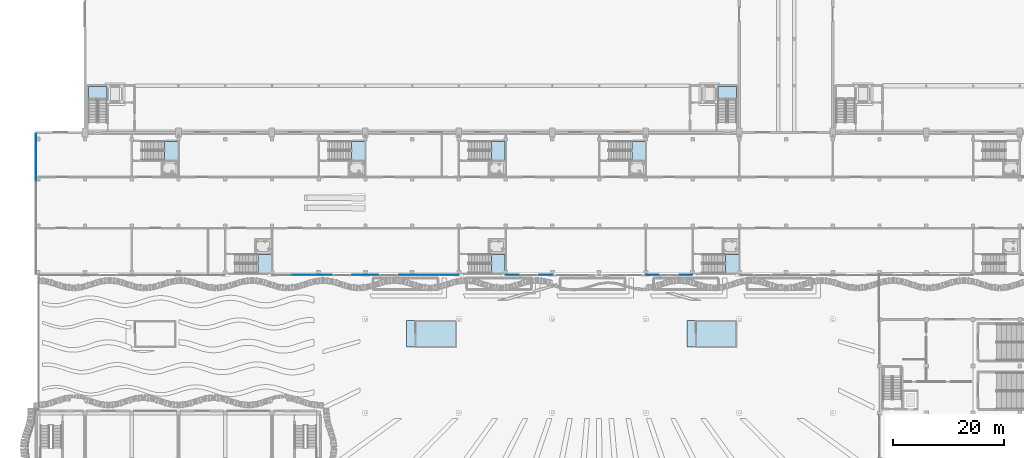
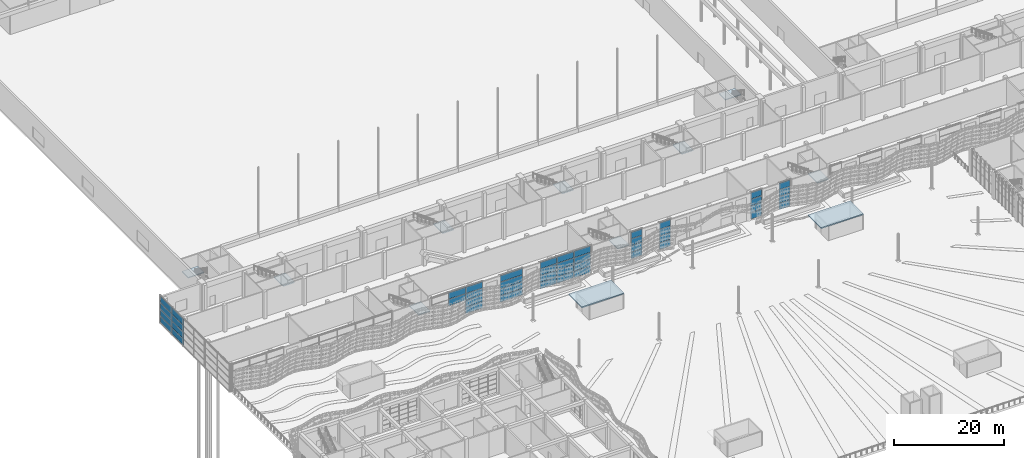
# One storey, part 82 of 210: 46 plates, 11 slabs, 17 elements without a shape of their own.
"""IFC4 building model written with IfcOpenShell, lengths in metres."""

from ifc_helpers import new_model, si_unit, direction, frame, origin, origin_2d, place, context, subcontext, project, spatial, polyline, rectangle, outline, extrude, material, layer, layer_set, type_object, element, aggregate, save


model = new_model("IFC4")

# Units and contexts
model_context = context("Model", 3, precision=1e-05, world=origin(), true_north=direction((0.0, 1.0)))
body_context = subcontext(model_context, "Body", "Model", "MODEL_VIEW")
ifc_project = project(units=[si_unit("LENGTHUNIT", "METRE"), si_unit("AREAUNIT", "SQUARE_METRE"), si_unit("VOLUMEUNIT", "CUBIC_METRE"), si_unit("PLANEANGLEUNIT", "RADIAN"), si_unit("MASSUNIT", "GRAM", prefix="KILO")], contexts=[model_context])

# Site, building, storey
site_placement = place(None, origin())
site = spatial("IfcSite", under=ifc_project, at=site_placement, CompositionType="ELEMENT")
building_placement = place(site_placement, origin())
building = spatial("IfcBuilding", under=site, at=building_placement, Name="Rain Tree Exposition and Congress Centre", CompositionType="ELEMENT")
storey_placement = place(building_placement, origin())
storey = spatial("IfcBuildingStorey", under=building, at=storey_placement, Name="L00", CompositionType="ELEMENT", Elevation=0.0)

# Curtain wall, plates
ifc_material_1 = material(Name="Aluminium curtain wall system", Category="aluminium")
ifc_layer_1 = layer(ifc_material_1, 0.10009765625)
ifc_layer_set_1 = layer_set([ifc_layer_1], Name="Aluminium curtain wall system")
curtain_wall_type = type_object("IfcCurtainWallType", Name="Concourse curtain wall 4200 module", PredefinedType="NOTDEFINED", material=ifc_layer_set_1)
curtain_wall_1_placement = place(storey_placement, origin())
curtain_wall_1 = element("IfcCurtainWall", 1, at=curtain_wall_1_placement, inside=storey, type_object=curtain_wall_type, Name="Concourse curtain wall CWC03", PredefinedType="NOTDEFINED")
ifc_material_2 = material(Name="Laminated low-e glass", Category="glass")
ifc_layer_2 = layer(ifc_material_2, 0.028076171875)
ifc_layer_set_2 = layer_set([ifc_layer_2], Name="Laminated low-e glass")
plate_type = type_object("IfcPlateType", Name="Concourse curtain wall glass panel 28", PredefinedType="CURTAIN_PANEL", material=ifc_layer_set_2)
plate_1_placement = place(storey_placement, frame((47.39990234375, 75.199951171875, 3.030029296875), z_axis=(0.0, 0.0, 1.0), x_axis=(1.0, 0.0, 0.0)))
plate_1 = element("IfcPlate", 2, at=plate_1_placement, type_object=plate_type, Name="CWC03 panel 2.3", PredefinedType="CURTAIN_PANEL", context=body_context, shape_type="SweptSolid", body=[
    extrude(rectangle(XDim=3.5400390625, YDim=0.028076171875, at=origin_2d()), origin(), (0.0, 0.0, 1.0), 1.43994140625),
])
plate_2_placement = place(storey_placement, frame((47.39990234375, 75.199951171875, 4.5302734375), z_axis=(0.0, 0.0, 1.0), x_axis=(1.0, 0.0, 0.0)))
plate_2 = element("IfcPlate", 3, at=plate_2_placement, type_object=plate_type, Name="CWC03 panel 2.4", PredefinedType="CURTAIN_PANEL", context=body_context, shape_type="SweptSolid", body=[
    extrude(rectangle(XDim=3.5400390625, YDim=0.028076171875, at=origin_2d()), origin(), (0.0, 0.0, 1.0), 1.409912109375),
])
plate_3_placement = place(storey_placement, frame((50.985107421875, 75.199951171875, 0.06005859375), z_axis=(0.0, 0.0, 1.0), x_axis=(1.0, 0.0, 0.0)))
plate_3 = element("IfcPlate", 4, at=plate_3_placement, type_object=plate_type, Name="CWC03 panel 3.1", PredefinedType="CURTAIN_PANEL", context=body_context, shape_type="SweptSolid", body=[
    extrude(rectangle(XDim=3.510009765625, YDim=0.028076171875, at=origin_2d()), origin(), (0.0, 0.0, 1.0), 1.409912109375),
])
plate_4_placement = place(storey_placement, frame((50.985107421875, 75.199951171875, 1.530029296875), z_axis=(0.0, 0.0, 1.0), x_axis=(1.0, 0.0, 0.0)))
plate_4 = element("IfcPlate", 5, at=plate_4_placement, type_object=plate_type, Name="CWC03 panel 3.2", PredefinedType="CURTAIN_PANEL", context=body_context, shape_type="SweptSolid", body=[
    extrude(rectangle(XDim=3.510009765625, YDim=0.028076171875, at=origin_2d()), origin(), (0.0, 0.0, 1.0), 1.43994140625),
])
plate_5_placement = place(storey_placement, frame((50.985107421875, 75.199951171875, 3.030029296875), z_axis=(0.0, 0.0, 1.0), x_axis=(1.0, 0.0, 0.0)))
plate_5 = element("IfcPlate", 6, at=plate_5_placement, type_object=plate_type, Name="CWC03 panel 3.3", PredefinedType="CURTAIN_PANEL", context=body_context, shape_type="SweptSolid", body=[
    extrude(rectangle(XDim=3.510009765625, YDim=0.028076171875, at=origin_2d()), origin(), (0.0, 0.0, 1.0), 1.43994140625),
])
plate_6_placement = place(storey_placement, frame((50.985107421875, 75.199951171875, 4.5302734375), z_axis=(0.0, 0.0, 1.0), x_axis=(1.0, 0.0, 0.0)))
plate_6 = element("IfcPlate", 7, at=plate_6_placement, type_object=plate_type, Name="CWC03 panel 3.4", PredefinedType="CURTAIN_PANEL", context=body_context, shape_type="SweptSolid", body=[
    extrude(rectangle(XDim=3.510009765625, YDim=0.028076171875, at=origin_2d()), origin(), (0.0, 0.0, 1.0), 1.409912109375),
])
aggregate(curtain_wall_1, [plate_1, plate_2, plate_3, plate_4, plate_5, plate_6])

curtain_wall_2_placement = place(storey_placement, origin())
curtain_wall_2 = element("IfcCurtainWall", 8, at=curtain_wall_2_placement, inside=storey, type_object=curtain_wall_type, Name="Concourse curtain wall CWC04", PredefinedType="NOTDEFINED")
plate_7_placement = place(storey_placement, frame((58.800048828125, 75.199951171875, 0.06005859375), z_axis=(0.0, 0.0, 1.0), x_axis=(1.0, 0.0, 0.0)))
plate_7 = element("IfcPlate", 9, at=plate_7_placement, type_object=plate_type, Name="CWC04 panel 1.1", PredefinedType="CURTAIN_PANEL", context=body_context, shape_type="SweptSolid", body=[
    extrude(rectangle(XDim=4.679931640625, YDim=0.028076171875, at=origin_2d()), origin(), (0.0, 0.0, 1.0), 1.409912109375),
])
plate_8_placement = place(storey_placement, frame((58.800048828125, 75.199951171875, 1.530029296875), z_axis=(0.0, 0.0, 1.0), x_axis=(1.0, 0.0, 0.0)))
plate_8 = element("IfcPlate", 10, at=plate_8_placement, type_object=plate_type, Name="CWC04 panel 1.2", PredefinedType="CURTAIN_PANEL", context=body_context, shape_type="SweptSolid", body=[
    extrude(rectangle(XDim=4.679931640625, YDim=0.028076171875, at=origin_2d()), origin(), (0.0, 0.0, 1.0), 1.43994140625),
])
plate_9_placement = place(storey_placement, frame((58.800048828125, 75.199951171875, 3.030029296875), z_axis=(0.0, 0.0, 1.0), x_axis=(1.0, 0.0, 0.0)))
plate_9 = element("IfcPlate", 11, at=plate_9_placement, type_object=plate_type, Name="CWC04 panel 1.3", PredefinedType="CURTAIN_PANEL", context=body_context, shape_type="SweptSolid", body=[
    extrude(rectangle(XDim=4.679931640625, YDim=0.028076171875, at=origin_2d()), origin(), (0.0, 0.0, 1.0), 1.43994140625),
])
plate_10_placement = place(storey_placement, frame((58.800048828125, 75.199951171875, 4.5302734375), z_axis=(0.0, 0.0, 1.0), x_axis=(1.0, 0.0, 0.0)))
plate_10 = element("IfcPlate", 12, at=plate_10_placement, type_object=plate_type, Name="CWC04 panel 1.4", PredefinedType="CURTAIN_PANEL", context=body_context, shape_type="SweptSolid", body=[
    extrude(rectangle(XDim=4.679931640625, YDim=0.028076171875, at=origin_2d()), origin(), (0.0, 0.0, 1.0), 1.409912109375),
])
aggregate(curtain_wall_2, [plate_7, plate_8, plate_9, plate_10])

curtain_wall_3_placement = place(storey_placement, origin())
curtain_wall_3 = element("IfcCurtainWall", 13, at=curtain_wall_3_placement, inside=storey, type_object=curtain_wall_type, Name="Concourse curtain wall CWC05", PredefinedType="NOTDEFINED")
plate_11_placement = place(storey_placement, frame((66.614990234375, 75.199951171875, 0.06005859375), z_axis=(0.0, 0.0, 1.0), x_axis=(1.0, 0.0, 0.0)))
plate_11 = element("IfcPlate", 14, at=plate_11_placement, type_object=plate_type, Name="CWC05 panel 1.1", PredefinedType="CURTAIN_PANEL", context=body_context, shape_type="SweptSolid", body=[
    extrude(rectangle(XDim=3.510009765625, YDim=0.028076171875, at=origin_2d()), origin(), (0.0, 0.0, 1.0), 1.409912109375),
])
plate_12_placement = place(storey_placement, frame((66.614990234375, 75.199951171875, 1.530029296875), z_axis=(0.0, 0.0, 1.0), x_axis=(1.0, 0.0, 0.0)))
plate_12 = element("IfcPlate", 15, at=plate_12_placement, type_object=plate_type, Name="CWC05 panel 1.2", PredefinedType="CURTAIN_PANEL", context=body_context, shape_type="SweptSolid", body=[
    extrude(rectangle(XDim=3.510009765625, YDim=0.028076171875, at=origin_2d()), origin(), (0.0, 0.0, 1.0), 1.43994140625),
])
plate_13_placement = place(storey_placement, frame((66.614990234375, 75.199951171875, 3.030029296875), z_axis=(0.0, 0.0, 1.0), x_axis=(1.0, 0.0, 0.0)))
plate_13 = element("IfcPlate", 16, at=plate_13_placement, type_object=plate_type, Name="CWC05 panel 1.3", PredefinedType="CURTAIN_PANEL", context=body_context, shape_type="SweptSolid", body=[
    extrude(rectangle(XDim=3.510009765625, YDim=0.028076171875, at=origin_2d()), origin(), (0.0, 0.0, 1.0), 1.43994140625),
])
plate_14_placement = place(storey_placement, frame((66.614990234375, 75.199951171875, 4.5302734375), z_axis=(0.0, 0.0, 1.0), x_axis=(1.0, 0.0, 0.0)))
plate_14 = element("IfcPlate", 17, at=plate_14_placement, type_object=plate_type, Name="CWC05 panel 1.4", PredefinedType="CURTAIN_PANEL", context=body_context, shape_type="SweptSolid", body=[
    extrude(rectangle(XDim=3.510009765625, YDim=0.028076171875, at=origin_2d()), origin(), (0.0, 0.0, 1.0), 1.409912109375),
])
plate_15_placement = place(storey_placement, frame((70.199951171875, 75.199951171875, 0.06005859375), z_axis=(0.0, 0.0, 1.0), x_axis=(1.0, 0.0, 0.0)))
plate_15 = element("IfcPlate", 18, at=plate_15_placement, type_object=plate_type, Name="CWC05 panel 2.1", PredefinedType="CURTAIN_PANEL", context=body_context, shape_type="SweptSolid", body=[
    extrude(rectangle(XDim=3.5400390625, YDim=0.028076171875, at=origin_2d()), origin(), (0.0, 0.0, 1.0), 1.409912109375),
])
plate_16_placement = place(storey_placement, frame((70.199951171875, 75.199951171875, 1.530029296875), z_axis=(0.0, 0.0, 1.0), x_axis=(1.0, 0.0, 0.0)))
plate_16 = element("IfcPlate", 19, at=plate_16_placement, type_object=plate_type, Name="CWC05 panel 2.2", PredefinedType="CURTAIN_PANEL", context=body_context, shape_type="SweptSolid", body=[
    extrude(rectangle(XDim=3.5400390625, YDim=0.028076171875, at=origin_2d()), origin(), (0.0, 0.0, 1.0), 1.43994140625),
])
plate_17_placement = place(storey_placement, frame((70.199951171875, 75.199951171875, 3.030029296875), z_axis=(0.0, 0.0, 1.0), x_axis=(1.0, 0.0, 0.0)))
plate_17 = element("IfcPlate", 20, at=plate_17_placement, type_object=plate_type, Name="CWC05 panel 2.3", PredefinedType="CURTAIN_PANEL", context=body_context, shape_type="SweptSolid", body=[
    extrude(rectangle(XDim=3.5400390625, YDim=0.028076171875, at=origin_2d()), origin(), (0.0, 0.0, 1.0), 1.43994140625),
])
plate_18_placement = place(storey_placement, frame((70.199951171875, 75.199951171875, 4.5302734375), z_axis=(0.0, 0.0, 1.0), x_axis=(1.0, 0.0, 0.0)))
plate_18 = element("IfcPlate", 21, at=plate_18_placement, type_object=plate_type, Name="CWC05 panel 2.4", PredefinedType="CURTAIN_PANEL", context=body_context, shape_type="SweptSolid", body=[
    extrude(rectangle(XDim=3.5400390625, YDim=0.028076171875, at=origin_2d()), origin(), (0.0, 0.0, 1.0), 1.409912109375),
])
plate_19_placement = place(storey_placement, frame((73.784912109375, 75.199951171875, 0.06005859375), z_axis=(0.0, 0.0, 1.0), x_axis=(1.0, 0.0, 0.0)))
plate_19 = element("IfcPlate", 22, at=plate_19_placement, type_object=plate_type, Name="CWC05 panel 3.1", PredefinedType="CURTAIN_PANEL", context=body_context, shape_type="SweptSolid", body=[
    extrude(rectangle(XDim=3.510009765625, YDim=0.028076171875, at=origin_2d()), origin(), (0.0, 0.0, 1.0), 1.409912109375),
])
plate_20_placement = place(storey_placement, frame((73.784912109375, 75.199951171875, 1.530029296875), z_axis=(0.0, 0.0, 1.0), x_axis=(1.0, 0.0, 0.0)))
plate_20 = element("IfcPlate", 23, at=plate_20_placement, type_object=plate_type, Name="CWC05 panel 3.2", PredefinedType="CURTAIN_PANEL", context=body_context, shape_type="SweptSolid", body=[
    extrude(rectangle(XDim=3.510009765625, YDim=0.028076171875, at=origin_2d()), origin(), (0.0, 0.0, 1.0), 1.43994140625),
])
plate_21_placement = place(storey_placement, frame((73.784912109375, 75.199951171875, 3.030029296875), z_axis=(0.0, 0.0, 1.0), x_axis=(1.0, 0.0, 0.0)))
plate_21 = element("IfcPlate", 24, at=plate_21_placement, type_object=plate_type, Name="CWC05 panel 3.3", PredefinedType="CURTAIN_PANEL", context=body_context, shape_type="SweptSolid", body=[
    extrude(rectangle(XDim=3.510009765625, YDim=0.028076171875, at=origin_2d()), origin(), (0.0, 0.0, 1.0), 1.43994140625),
])
plate_22_placement = place(storey_placement, frame((73.784912109375, 75.199951171875, 4.5302734375), z_axis=(0.0, 0.0, 1.0), x_axis=(1.0, 0.0, 0.0)))
plate_22 = element("IfcPlate", 25, at=plate_22_placement, type_object=plate_type, Name="CWC05 panel 3.4", PredefinedType="CURTAIN_PANEL", context=body_context, shape_type="SweptSolid", body=[
    extrude(rectangle(XDim=3.510009765625, YDim=0.028076171875, at=origin_2d()), origin(), (0.0, 0.0, 1.0), 1.409912109375),
])
aggregate(curtain_wall_3, [plate_11, plate_12, plate_13, plate_14, plate_15, plate_16, plate_17, plate_18, plate_19, plate_20, plate_21, plate_22])

curtain_wall_4_placement = place(storey_placement, origin())
curtain_wall_4 = element("IfcCurtainWall", 26, at=curtain_wall_4_placement, inside=storey, type_object=curtain_wall_type, Name="Concourse curtain wall CWC06", PredefinedType="NOTDEFINED")
plate_23_placement = place(storey_placement, frame((85.199951171875, 75.199951171875, 0.06005859375), z_axis=(0.0, 0.0, 1.0), x_axis=(1.0, 0.0, 0.0)))
plate_23 = element("IfcPlate", 27, at=plate_23_placement, type_object=plate_type, Name="CWC06 panel 1.1", PredefinedType="CURTAIN_PANEL", context=body_context, shape_type="SweptSolid", body=[
    extrude(rectangle(XDim=2.280029296875, YDim=0.028076171875, at=origin_2d()), origin(), (0.0, 0.0, 1.0), 1.409912109375),
])
plate_24_placement = place(storey_placement, frame((85.199951171875, 75.199951171875, 1.530029296875), z_axis=(0.0, 0.0, 1.0), x_axis=(1.0, 0.0, 0.0)))
plate_24 = element("IfcPlate", 28, at=plate_24_placement, type_object=plate_type, Name="CWC06 panel 1.2", PredefinedType="CURTAIN_PANEL", context=body_context, shape_type="SweptSolid", body=[
    extrude(rectangle(XDim=2.280029296875, YDim=0.028076171875, at=origin_2d()), origin(), (0.0, 0.0, 1.0), 1.43994140625),
])
plate_25_placement = place(storey_placement, frame((85.199951171875, 75.199951171875, 3.030029296875), z_axis=(0.0, 0.0, 1.0), x_axis=(1.0, 0.0, 0.0)))
plate_25 = element("IfcPlate", 29, at=plate_25_placement, type_object=plate_type, Name="CWC06 panel 1.3", PredefinedType="CURTAIN_PANEL", context=body_context, shape_type="SweptSolid", body=[
    extrude(rectangle(XDim=2.280029296875, YDim=0.028076171875, at=origin_2d()), origin(), (0.0, 0.0, 1.0), 1.43994140625),
])
plate_26_placement = place(storey_placement, frame((85.199951171875, 75.199951171875, 4.5302734375), z_axis=(0.0, 0.0, 1.0), x_axis=(1.0, 0.0, 0.0)))
plate_26 = element("IfcPlate", 30, at=plate_26_placement, type_object=plate_type, Name="CWC06 panel 1.4", PredefinedType="CURTAIN_PANEL", context=body_context, shape_type="SweptSolid", body=[
    extrude(rectangle(XDim=2.280029296875, YDim=0.028076171875, at=origin_2d()), origin(), (0.0, 0.0, 1.0), 1.409912109375),
])
aggregate(curtain_wall_4, [plate_23, plate_24, plate_25, plate_26])

curtain_wall_5_placement = place(storey_placement, origin())
curtain_wall_5 = element("IfcCurtainWall", 31, at=curtain_wall_5_placement, inside=storey, type_object=curtain_wall_type, Name="Concourse curtain wall CWC07", PredefinedType="NOTDEFINED")
plate_27_placement = place(storey_placement, frame((91.199951171875, 75.199951171875, 0.06005859375), z_axis=(0.0, 0.0, 1.0), x_axis=(1.0, 0.0, 0.0)))
plate_27 = element("IfcPlate", 32, at=plate_27_placement, type_object=plate_type, Name="CWC07 panel 1.1", PredefinedType="CURTAIN_PANEL", context=body_context, shape_type="SweptSolid", body=[
    extrude(rectangle(XDim=2.280029296875, YDim=0.028076171875, at=origin_2d()), origin(), (0.0, 0.0, 1.0), 1.409912109375),
])
plate_28_placement = place(storey_placement, frame((91.199951171875, 75.199951171875, 1.530029296875), z_axis=(0.0, 0.0, 1.0), x_axis=(1.0, 0.0, 0.0)))
plate_28 = element("IfcPlate", 33, at=plate_28_placement, type_object=plate_type, Name="CWC07 panel 1.2", PredefinedType="CURTAIN_PANEL", context=body_context, shape_type="SweptSolid", body=[
    extrude(rectangle(XDim=2.280029296875, YDim=0.028076171875, at=origin_2d()), origin(), (0.0, 0.0, 1.0), 1.43994140625),
])
plate_29_placement = place(storey_placement, frame((91.199951171875, 75.199951171875, 3.030029296875), z_axis=(0.0, 0.0, 1.0), x_axis=(1.0, 0.0, 0.0)))
plate_29 = element("IfcPlate", 34, at=plate_29_placement, type_object=plate_type, Name="CWC07 panel 1.3", PredefinedType="CURTAIN_PANEL", context=body_context, shape_type="SweptSolid", body=[
    extrude(rectangle(XDim=2.280029296875, YDim=0.028076171875, at=origin_2d()), origin(), (0.0, 0.0, 1.0), 1.43994140625),
])
plate_30_placement = place(storey_placement, frame((91.199951171875, 75.199951171875, 4.5302734375), z_axis=(0.0, 0.0, 1.0), x_axis=(1.0, 0.0, 0.0)))
plate_30 = element("IfcPlate", 35, at=plate_30_placement, type_object=plate_type, Name="CWC07 panel 1.4", PredefinedType="CURTAIN_PANEL", context=body_context, shape_type="SweptSolid", body=[
    extrude(rectangle(XDim=2.280029296875, YDim=0.028076171875, at=origin_2d()), origin(), (0.0, 0.0, 1.0), 1.409912109375),
])
aggregate(curtain_wall_5, [plate_27, plate_28, plate_29, plate_30])

curtain_wall_6_placement = place(storey_placement, origin())
curtain_wall_6 = element("IfcCurtainWall", 36, at=curtain_wall_6_placement, inside=storey, type_object=curtain_wall_type, Name="Concourse curtain wall CWC08", PredefinedType="NOTDEFINED")
plate_31_placement = place(storey_placement, frame((110.39990234375, 75.199951171875, 0.06005859375), z_axis=(0.0, 0.0, 1.0), x_axis=(1.0, 0.0, 0.0)))
plate_31 = element("IfcPlate", 37, at=plate_31_placement, type_object=plate_type, Name="CWC08 panel 1.1", PredefinedType="CURTAIN_PANEL", context=body_context, shape_type="SweptSolid", body=[
    extrude(rectangle(XDim=2.280029296875, YDim=0.028076171875, at=origin_2d()), origin(), (0.0, 0.0, 1.0), 1.409912109375),
])
plate_32_placement = place(storey_placement, frame((110.39990234375, 75.199951171875, 1.530029296875), z_axis=(0.0, 0.0, 1.0), x_axis=(1.0, 0.0, 0.0)))
plate_32 = element("IfcPlate", 38, at=plate_32_placement, type_object=plate_type, Name="CWC08 panel 1.2", PredefinedType="CURTAIN_PANEL", context=body_context, shape_type="SweptSolid", body=[
    extrude(rectangle(XDim=2.280029296875, YDim=0.028076171875, at=origin_2d()), origin(), (0.0, 0.0, 1.0), 1.43994140625),
])
plate_33_placement = place(storey_placement, frame((110.39990234375, 75.199951171875, 3.030029296875), z_axis=(0.0, 0.0, 1.0), x_axis=(1.0, 0.0, 0.0)))
plate_33 = element("IfcPlate", 39, at=plate_33_placement, type_object=plate_type, Name="CWC08 panel 1.3", PredefinedType="CURTAIN_PANEL", context=body_context, shape_type="SweptSolid", body=[
    extrude(rectangle(XDim=2.280029296875, YDim=0.028076171875, at=origin_2d()), origin(), (0.0, 0.0, 1.0), 1.43994140625),
])
plate_34_placement = place(storey_placement, frame((110.39990234375, 75.199951171875, 4.5302734375), z_axis=(0.0, 0.0, 1.0), x_axis=(1.0, 0.0, 0.0)))
plate_34 = element("IfcPlate", 40, at=plate_34_placement, type_object=plate_type, Name="CWC08 panel 1.4", PredefinedType="CURTAIN_PANEL", context=body_context, shape_type="SweptSolid", body=[
    extrude(rectangle(XDim=2.280029296875, YDim=0.028076171875, at=origin_2d()), origin(), (0.0, 0.0, 1.0), 1.409912109375),
])
aggregate(curtain_wall_6, [plate_31, plate_32, plate_33, plate_34])

curtain_wall_7_placement = place(storey_placement, origin())
curtain_wall_7 = element("IfcCurtainWall", 41, at=curtain_wall_7_placement, inside=storey, type_object=curtain_wall_type, Name="Concourse curtain wall CWC09", PredefinedType="NOTDEFINED")
plate_35_placement = place(storey_placement, frame((116.39990234375, 75.199951171875, 0.06005859375), z_axis=(0.0, 0.0, 1.0), x_axis=(1.0, 0.0, 0.0)))
plate_35 = element("IfcPlate", 42, at=plate_35_placement, type_object=plate_type, Name="CWC09 panel 1.1", PredefinedType="CURTAIN_PANEL", context=body_context, shape_type="SweptSolid", body=[
    extrude(rectangle(XDim=2.280029296875, YDim=0.028076171875, at=origin_2d()), origin(), (0.0, 0.0, 1.0), 1.409912109375),
])
plate_36_placement = place(storey_placement, frame((116.39990234375, 75.199951171875, 1.530029296875), z_axis=(0.0, 0.0, 1.0), x_axis=(1.0, 0.0, 0.0)))
plate_36 = element("IfcPlate", 43, at=plate_36_placement, type_object=plate_type, Name="CWC09 panel 1.2", PredefinedType="CURTAIN_PANEL", context=body_context, shape_type="SweptSolid", body=[
    extrude(rectangle(XDim=2.280029296875, YDim=0.028076171875, at=origin_2d()), origin(), (0.0, 0.0, 1.0), 1.43994140625),
])
plate_37_placement = place(storey_placement, frame((116.39990234375, 75.199951171875, 3.030029296875), z_axis=(0.0, 0.0, 1.0), x_axis=(1.0, 0.0, 0.0)))
plate_37 = element("IfcPlate", 44, at=plate_37_placement, type_object=plate_type, Name="CWC09 panel 1.3", PredefinedType="CURTAIN_PANEL", context=body_context, shape_type="SweptSolid", body=[
    extrude(rectangle(XDim=2.280029296875, YDim=0.028076171875, at=origin_2d()), origin(), (0.0, 0.0, 1.0), 1.43994140625),
])
plate_38_placement = place(storey_placement, frame((116.39990234375, 75.199951171875, 4.5302734375), z_axis=(0.0, 0.0, 1.0), x_axis=(1.0, 0.0, 0.0)))
plate_38 = element("IfcPlate", 45, at=plate_38_placement, type_object=plate_type, Name="CWC09 panel 1.4", PredefinedType="CURTAIN_PANEL", context=body_context, shape_type="SweptSolid", body=[
    extrude(rectangle(XDim=2.280029296875, YDim=0.028076171875, at=origin_2d()), origin(), (0.0, 0.0, 1.0), 1.409912109375),
])
aggregate(curtain_wall_7, [plate_35, plate_36, plate_37, plate_38])

curtain_wall_8_placement = place(storey_placement, origin())
curtain_wall_8 = element("IfcCurtainWall", 46, at=curtain_wall_8_placement, inside=storey, type_object=curtain_wall_type, Name="Concourse curtain wall CWC31", PredefinedType="NOTDEFINED")
plate_39_placement = place(storey_placement, frame((-0.39990234375, 94.202392578125, 0.06005859375), z_axis=(0.0, 0.0, 1.0), x_axis=(0.0, 1.0, 0.0)))
plate_39 = element("IfcPlate", 47, at=plate_39_placement, type_object=plate_type, Name="CWC31 panel 1.1", PredefinedType="CURTAIN_PANEL", context=body_context, shape_type="SweptSolid", body=[
    extrude(rectangle(XDim=4.18505859375, YDim=0.028076171875, at=origin_2d()), origin(), (0.0, 0.0, 1.0), 1.409912109375),
])
plate_40_placement = place(storey_placement, frame((-0.39990234375, 94.202392578125, 1.530029296875), z_axis=(0.0, 0.0, 1.0), x_axis=(0.0, 1.0, 0.0)))
plate_40 = element("IfcPlate", 48, at=plate_40_placement, type_object=plate_type, Name="CWC31 panel 1.2", PredefinedType="CURTAIN_PANEL", context=body_context, shape_type="SweptSolid", body=[
    extrude(rectangle(XDim=4.18505859375, YDim=0.028076171875, at=origin_2d()), origin(), (0.0, 0.0, 1.0), 1.43994140625),
])
plate_41_placement = place(storey_placement, frame((-0.39990234375, 94.202392578125, 3.030029296875), z_axis=(0.0, 0.0, 1.0), x_axis=(0.0, 1.0, 0.0)))
plate_41 = element("IfcPlate", 49, at=plate_41_placement, type_object=plate_type, Name="CWC31 panel 1.3", PredefinedType="CURTAIN_PANEL", context=body_context, shape_type="SweptSolid", body=[
    extrude(rectangle(XDim=4.18505859375, YDim=0.028076171875, at=origin_2d()), origin(), (0.0, 0.0, 1.0), 1.43994140625),
])
plate_42_placement = place(storey_placement, frame((-0.39990234375, 94.202392578125, 4.5302734375), z_axis=(0.0, 0.0, 1.0), x_axis=(0.0, 1.0, 0.0)))
plate_42 = element("IfcPlate", 50, at=plate_42_placement, type_object=plate_type, Name="CWC31 panel 1.4", PredefinedType="CURTAIN_PANEL", context=body_context, shape_type="SweptSolid", body=[
    extrude(rectangle(XDim=4.18505859375, YDim=0.028076171875, at=origin_2d()), origin(), (0.0, 0.0, 1.0), 1.409912109375),
])
plate_43_placement = place(storey_placement, frame((-0.39990234375, 98.447509765625, 0.06005859375), z_axis=(0.0, 0.0, 1.0), x_axis=(0.0, 1.0, 0.0)))
plate_43 = element("IfcPlate", 51, at=plate_43_placement, type_object=plate_type, Name="CWC31 panel 2.1", PredefinedType="CURTAIN_PANEL", context=body_context, shape_type="SweptSolid", body=[
    extrude(rectangle(XDim=4.18505859375, YDim=0.028076171875, at=origin_2d()), origin(), (0.0, 0.0, 1.0), 1.409912109375),
])
plate_44_placement = place(storey_placement, frame((-0.39990234375, 98.447509765625, 1.530029296875), z_axis=(0.0, 0.0, 1.0), x_axis=(0.0, 1.0, 0.0)))
plate_44 = element("IfcPlate", 52, at=plate_44_placement, type_object=plate_type, Name="CWC31 panel 2.2", PredefinedType="CURTAIN_PANEL", context=body_context, shape_type="SweptSolid", body=[
    extrude(rectangle(XDim=4.18505859375, YDim=0.028076171875, at=origin_2d()), origin(), (0.0, 0.0, 1.0), 1.43994140625),
])
plate_45_placement = place(storey_placement, frame((-0.39990234375, 98.447509765625, 3.030029296875), z_axis=(0.0, 0.0, 1.0), x_axis=(0.0, 1.0, 0.0)))
plate_45 = element("IfcPlate", 53, at=plate_45_placement, type_object=plate_type, Name="CWC31 panel 2.3", PredefinedType="CURTAIN_PANEL", context=body_context, shape_type="SweptSolid", body=[
    extrude(rectangle(XDim=4.18505859375, YDim=0.028076171875, at=origin_2d()), origin(), (0.0, 0.0, 1.0), 1.43994140625),
])
plate_46_placement = place(storey_placement, frame((-0.39990234375, 98.447509765625, 4.5302734375), z_axis=(0.0, 0.0, 1.0), x_axis=(0.0, 1.0, 0.0)))
plate_46 = element("IfcPlate", 54, at=plate_46_placement, type_object=plate_type, Name="CWC31 panel 2.4", PredefinedType="CURTAIN_PANEL", context=body_context, shape_type="SweptSolid", body=[
    extrude(rectangle(XDim=4.18505859375, YDim=0.028076171875, at=origin_2d()), origin(), (0.0, 0.0, 1.0), 1.409912109375),
])
aggregate(curtain_wall_8, [plate_39, plate_40, plate_41, plate_42, plate_43, plate_44, plate_45, plate_46])

# Stair, slab
ifc_material_3 = material(Name="Precast concrete C50/60", Category="concrete")
stair_type_1 = type_object("IfcStairType", Name="Concourse dogleg stair 1600", PredefinedType="HALF_TURN_STAIR", material=ifc_material_3)
stair_1_placement = place(storey_placement, origin())
stair_1 = element("IfcStair", 55, at=stair_1_placement, inside=storey, type_object=stair_type_1, Name="L00 Concourse stair", PredefinedType="HALF_TURN_STAIR")
ifc_material_4 = material(Name="Precast concrete C50/60", Category="concrete")
ifc_layer_3 = layer(ifc_material_4, 0.199951171875)
ifc_layer_set_3 = layer_set([ifc_layer_3], Name="Precast concrete C50/60")
slab_type_1 = type_object("IfcSlabType", Name="Concourse stair landing 200", PredefinedType="LANDING", material=ifc_layer_set_3)
slab_1_placement = place(storey_placement, frame((0.0, 0.0, 2.800048828125)))
slab_1 = element("IfcSlab", 56, at=slab_1_placement, type_object=slab_type_1, Name="ST-C1 landing 1", PredefinedType="LANDING", context=body_context, shape_type="SweptSolid", body=[
    extrude(outline(polyline([(39.5, 75.550048828125), (41.89990234375, 75.550048828125), (41.89990234375, 78.89990234375), (39.5, 78.89990234375), (39.5, 75.550048828125)])), origin(), (0.0, 0.0, 1.0), 0.199951171875),
])
aggregate(stair_1, [slab_1])

stair_2_placement = place(storey_placement, origin())
stair_2 = element("IfcStair", 57, at=stair_2_placement, inside=storey, type_object=stair_type_1, Name="L00 Concourse stair", PredefinedType="HALF_TURN_STAIR")
slab_2_placement = place(storey_placement, frame((0.0, 0.0, 2.800048828125)))
slab_2 = element("IfcSlab", 58, at=slab_2_placement, type_object=slab_type_1, Name="ST-C2 landing 1", PredefinedType="LANDING", context=body_context, shape_type="SweptSolid", body=[
    extrude(outline(polyline([(81.5, 75.550048828125), (83.89990234375, 75.550048828125), (83.89990234375, 78.89990234375), (81.5, 78.89990234375), (81.5, 75.550048828125)])), origin(), (0.0, 0.0, 1.0), 0.199951171875),
])
aggregate(stair_2, [slab_2])

stair_3_placement = place(storey_placement, origin())
stair_3 = element("IfcStair", 59, at=stair_3_placement, inside=storey, type_object=stair_type_1, Name="L00 Concourse stair", PredefinedType="HALF_TURN_STAIR")
slab_3_placement = place(storey_placement, frame((0.0, 0.0, 2.800048828125)))
slab_3 = element("IfcSlab", 60, at=slab_3_placement, type_object=slab_type_1, Name="ST-C3 landing 1", PredefinedType="LANDING", context=body_context, shape_type="SweptSolid", body=[
    extrude(outline(polyline([(123.5, 75.550048828125), (125.89990234375, 75.550048828125), (125.89990234375, 78.89990234375), (123.5, 78.89990234375), (123.5, 75.550048828125)])), origin(), (0.0, 0.0, 1.0), 0.199951171875),
])
aggregate(stair_3, [slab_3])

stair_4_placement = place(storey_placement, origin())
stair_4 = element("IfcStair", 61, at=stair_4_placement, inside=storey, type_object=stair_type_1, Name="L00 Concourse stair", PredefinedType="HALF_TURN_STAIR")
slab_4_placement = place(storey_placement, frame((0.0, 0.0, 2.800048828125)))
slab_4 = element("IfcSlab", 62, at=slab_4_placement, type_object=slab_type_1, Name="ST-C7 landing 1", PredefinedType="LANDING", context=body_context, shape_type="SweptSolid", body=[
    extrude(outline(polyline([(22.699951171875, 95.85009765625), (25.10009765625, 95.85009765625), (25.10009765625, 99.199951171875), (22.699951171875, 99.199951171875), (22.699951171875, 95.85009765625)])), origin(), (0.0, 0.0, 1.0), 0.199951171875),
])
aggregate(stair_4, [slab_4])

stair_5_placement = place(storey_placement, origin())
stair_5 = element("IfcStair", 63, at=stair_5_placement, inside=storey, type_object=stair_type_1, Name="L00 Concourse stair", PredefinedType="HALF_TURN_STAIR")
slab_5_placement = place(storey_placement, frame((0.0, 0.0, 2.800048828125)))
slab_5 = element("IfcSlab", 64, at=slab_5_placement, type_object=slab_type_1, Name="ST-C8 landing 1", PredefinedType="LANDING", context=body_context, shape_type="SweptSolid", body=[
    extrude(outline(polyline([(56.300048828125, 95.85009765625), (58.699951171875, 95.85009765625), (58.699951171875, 99.199951171875), (56.300048828125, 99.199951171875), (56.300048828125, 95.85009765625)])), origin(), (0.0, 0.0, 1.0), 0.199951171875),
])
aggregate(stair_5, [slab_5])

stair_6_placement = place(storey_placement, origin())
stair_6 = element("IfcStair", 65, at=stair_6_placement, inside=storey, type_object=stair_type_1, Name="L00 Concourse stair", PredefinedType="HALF_TURN_STAIR")
slab_6_placement = place(storey_placement, frame((0.0, 0.0, 2.800048828125)))
slab_6 = element("IfcSlab", 66, at=slab_6_placement, type_object=slab_type_1, Name="ST-C9 landing 1", PredefinedType="LANDING", context=body_context, shape_type="SweptSolid", body=[
    extrude(outline(polyline([(81.5, 95.85009765625), (83.89990234375, 95.85009765625), (83.89990234375, 99.199951171875), (81.5, 99.199951171875), (81.5, 95.85009765625)])), origin(), (0.0, 0.0, 1.0), 0.199951171875),
])
aggregate(stair_6, [slab_6])

stair_7_placement = place(storey_placement, origin())
stair_7 = element("IfcStair", 67, at=stair_7_placement, inside=storey, type_object=stair_type_1, Name="L00 Concourse stair", PredefinedType="HALF_TURN_STAIR")
slab_7_placement = place(storey_placement, frame((0.0, 0.0, 2.800048828125)))
slab_7 = element("IfcSlab", 68, at=slab_7_placement, type_object=slab_type_1, Name="ST-C10 landing 1", PredefinedType="LANDING", context=body_context, shape_type="SweptSolid", body=[
    extrude(outline(polyline([(106.699951171875, 95.85009765625), (109.10009765625, 95.85009765625), (109.10009765625, 99.199951171875), (106.699951171875, 99.199951171875), (106.699951171875, 95.85009765625)])), origin(), (0.0, 0.0, 1.0), 0.199951171875),
])
aggregate(stair_7, [slab_7])

# Slabs
ifc_material_5 = material(Name="Concrete C40/50", Category="concrete")
ifc_layer_4 = layer(ifc_material_5, 0.25)
ifc_layer_set_4 = layer_set([ifc_layer_4], Name="Concrete C40/50")
slab_type_2 = type_object("IfcSlabType", Name="Lift roof slab 250", PredefinedType="ROOF", material=ifc_layer_set_4)
slab_8_placement = place(storey_placement, frame((0.0, 0.0, 3.199951171875)))
element("IfcSlab", 69, at=slab_8_placement, inside=storey, type_object=slab_type_2, Name="Exit stair E3 roof and entrance canopy", PredefinedType="ROOF", context=body_context, shape_type="SweptSolid", body=[
    extrude(outline(polyline([(66.199951171875, 62.199951171875), (75.10009765625, 62.199951171875), (75.10009765625, 67.0), (66.199951171875, 67.0), (66.199951171875, 62.199951171875)])), origin(), (0.0, 0.0, 1.0), 0.25),
])
slab_9_placement = place(storey_placement, frame((0.0, 0.0, 3.199951171875)))
element("IfcSlab", 70, at=slab_9_placement, inside=storey, type_object=slab_type_2, Name="Exit stair E4 roof and entrance canopy", PredefinedType="ROOF", context=body_context, shape_type="SweptSolid", body=[
    extrude(outline(polyline([(116.60009765625, 62.199951171875), (125.5, 62.199951171875), (125.5, 67.0), (116.60009765625, 67.0), (116.60009765625, 62.199951171875)])), origin(), (0.0, 0.0, 1.0), 0.25),
])

# Stair, slab
ifc_material_6 = material(Name="Concrete C40/50", Category="concrete")
stair_type_2 = type_object("IfcStairType", Name="Half-turn stair 1600", PredefinedType="HALF_TURN_STAIR", material=ifc_material_6)
stair_8_placement = place(storey_placement, origin())
stair_8 = element("IfcStair", 71, at=stair_8_placement, inside=storey, type_object=stair_type_2, Name="L00 Stair H1", PredefinedType="HALF_TURN_STAIR")
ifc_material_7 = material(Name="Concrete C40/50", Category="concrete")
ifc_layer_5 = layer(ifc_material_7, 0.199951171875)
ifc_layer_set_5 = layer_set([ifc_layer_5], Name="Concrete C40/50")
slab_type_3 = type_object("IfcSlabType", Name="Stair landing 200", PredefinedType="LANDING", material=ifc_layer_set_5)
slab_10_placement = place(storey_placement, frame((0.0, 0.0, 2.800048828125)))
slab_10 = element("IfcSlab", 72, at=slab_10_placement, type_object=slab_type_3, Name="ST-H1 landing 1", PredefinedType="LANDING", context=body_context, shape_type="SweptSolid", body=[
    extrude(outline(polyline([(12.375, 106.800048828125), (12.375, 109.074951171875), (9.02490234375, 109.074951171875), (9.02490234375, 106.800048828125), (12.375, 106.800048828125)])), origin(), (0.0, 0.0, 1.0), 0.199951171875),
])
aggregate(stair_8, [slab_10])

stair_9_placement = place(storey_placement, origin())
stair_9 = element("IfcStair", 73, at=stair_9_placement, inside=storey, type_object=stair_type_2, Name="L00 Stair H2", PredefinedType="HALF_TURN_STAIR")
slab_11_placement = place(storey_placement, frame((0.0, 0.0, 2.800048828125)))
slab_11 = element("IfcSlab", 74, at=slab_11_placement, type_object=slab_type_3, Name="ST-H2 landing 1", PredefinedType="LANDING", context=body_context, shape_type="SweptSolid", body=[
    extrude(outline(polyline([(125.5, 106.800048828125), (125.5, 109.074951171875), (122.14990234375, 109.074951171875), (122.14990234375, 106.800048828125), (125.5, 106.800048828125)])), origin(), (0.0, 0.0, 1.0), 0.199951171875),
])
aggregate(stair_9, [slab_11])

save(model, "model.ifc")
